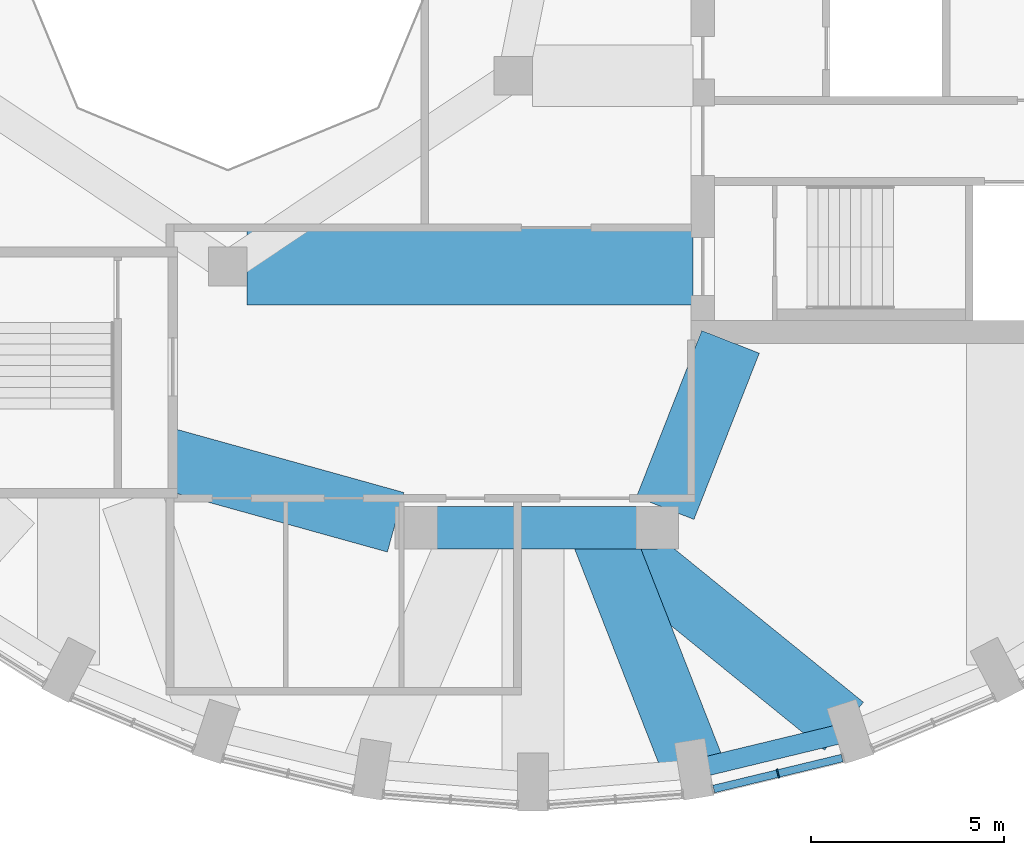
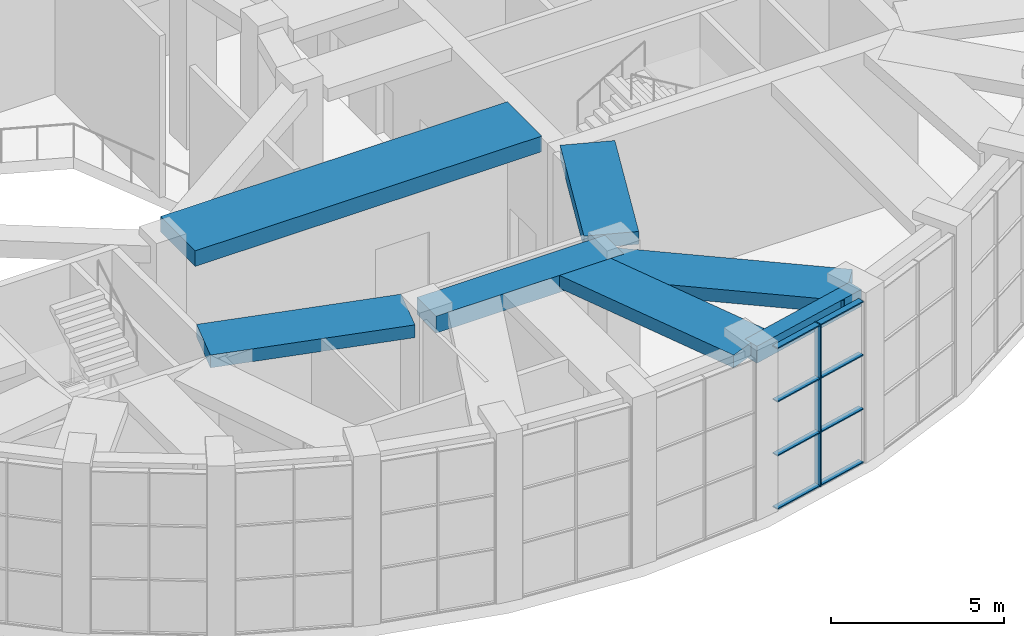
# One storey, part 4 of 20: 9 members, 7 beams, 1 element without a shape of its own.
"""IFC4 building model written with IfcOpenShell, lengths in metres."""

from ifc_helpers import new_model, si_unit, direction, frame, origin, origin_2d, place, context, subcontext, project, spatial, rectangle, extrude, material, material_profile, profile_set, type_object, element, aggregate, save


model = new_model("IFC4")

# Units and contexts
model_context = context("Model", 3, precision=1e-05, world=origin(), true_north=direction((0.0, 1.0)))
body_context = subcontext(model_context, "Body", "Model", "MODEL_VIEW")
ifc_project = project(units=[si_unit("LENGTHUNIT", "METRE"), si_unit("AREAUNIT", "SQUARE_METRE"), si_unit("VOLUMEUNIT", "CUBIC_METRE"), si_unit("PLANEANGLEUNIT", "RADIAN"), si_unit("MASSUNIT", "GRAM", prefix="KILO")], contexts=[model_context])

# Site, building, storey
site_placement = place(None, origin())
site = spatial("IfcSite", under=ifc_project, at=site_placement, CompositionType="ELEMENT")
building_placement = place(site_placement, origin())
building = spatial("IfcBuilding", under=site, at=building_placement, Name="Taillehof Tower", CompositionType="ELEMENT")
storey_placement = place(building_placement, frame((0.0, 0.0, 269.199951171875)))
storey = spatial("IfcBuildingStorey", under=building, at=storey_placement, Name="L76", CompositionType="ELEMENT", Elevation=269.199951171875)

# Beam
ifc_material_1 = material(Name="Concrete C50/60", Category="concrete")
ifc_material_profile_1 = material_profile(ifc_material_1, rectangle(XDim=1.10009765625, YDim=0.60009765625, at=origin_2d()), Name="RC 1100x600")
ifc_profile_set_1 = profile_set([ifc_material_profile_1], Name="Concrete C50/60")
beam_type_1 = type_object("IfcBeamType", Name="Mid-ring beam C50/60 1100x600", PredefinedType="BEAM", material=ifc_profile_set_1)
beam_1_placement = place(storey_placement, frame((-3.125732421875, -14.772216796875, 5.400146484375), z_axis=(1.0, 0.0, 0.0), x_axis=(0.0, 1.0, 0.0)))
element("IfcBeam", 1, at=beam_1_placement, inside=storey, type_object=beam_type_1, Name="Mid-ring beam MB02", PredefinedType="BEAM", context=body_context, shape_type="SweptSolid", body=[
    extrude(rectangle(XDim=1.10009765625, YDim=0.60009765625, at=origin_2d()), origin(), (0.0, 0.0, 1.0), 6.25146484375),
])

# Curtain wall, members
ifc_material_2 = material(Name="Aluminium curtain wall with Clear toughened laminated glass", Category="aluminium")
curtain_wall_type = type_object("IfcCurtainWallType", Name="Observation deck curtain wall", PredefinedType="USERDEFINED", material=ifc_material_2)
curtain_wall_placement = place(storey_placement, origin())
curtain_wall = element("IfcCurtainWall", 2, at=curtain_wall_placement, inside=storey, type_object=curtain_wall_type, Name="Observation deck L76 bay 29", ObjectType="WINDOW WALL", PredefinedType="USERDEFINED")
ifc_material_3 = material(Name="Aluminium mullion", Category="aluminium")
ifc_material_profile_2 = material_profile(ifc_material_3, rectangle(XDim=0.239990234375, YDim=0.0400390625, at=origin_2d()), Name="AL 40x240")
ifc_profile_set_2 = profile_set([ifc_material_profile_2], Name="Aluminium mullion")
member_type_1 = type_object("IfcMemberType", Name="Observation deck mullion 40x240", PredefinedType="MULLION", material=ifc_profile_set_2)
member_1_placement = place(storey_placement, frame((6.246337890625, -21.133056640625, 0.0), z_axis=(0.0, 0.0, 1.0), x_axis=(-0.234514520129, 0.972112616855, 0.0)))
member_1 = element("IfcMember", 3, at=member_1_placement, type_object=member_type_1, Name="CT6E29 mullion 2", PredefinedType="MULLION", context=body_context, shape_type="SweptSolid", body=[
    extrude(rectangle(XDim=0.239990234375, YDim=0.0400390625, at=origin_2d()), origin(), (0.0, 0.0, 1.0), 5.699951171875),
])
ifc_material_4 = material(Name="Aluminium transom", Category="aluminium")
ifc_material_profile_3 = material_profile(ifc_material_4, rectangle(XDim=0.199951171875, YDim=0.0400390625, at=origin_2d()), Name="AL 200x40")
ifc_profile_set_3 = profile_set([ifc_material_profile_3], Name="Aluminium transom")
member_type_2 = type_object("IfcMemberType", Name="Observation deck transom 200x40", PredefinedType="USERDEFINED", material=ifc_profile_set_3)
member_2_placement = place(storey_placement, frame((4.583251953125, -21.5341796875, 0.02001953125), z_axis=(0.972114000527, 0.234508784441, 0.0), x_axis=(-0.234508784441, 0.972114000527, 0.0)))
member_2 = element("IfcMember", 4, at=member_2_placement, type_object=member_type_2, Name="CT6E29 transom 1.1", ObjectType="TRANSOM", PredefinedType="USERDEFINED", context=body_context, shape_type="SweptSolid", body=[
    extrude(rectangle(XDim=0.199951171875, YDim=0.0400390625, at=origin_2d()), origin(), (0.0, 0.0, 1.0), 1.690673828125),
])
member_3_placement = place(storey_placement, frame((4.583251953125, -21.5341796875, 1.900146484375), z_axis=(0.972114000527, 0.234508784441, 0.0), x_axis=(-0.234508784441, 0.972114000527, 0.0)))
member_3 = element("IfcMember", 5, at=member_3_placement, type_object=member_type_2, Name="CT6E29 transom 1.2", ObjectType="TRANSOM", PredefinedType="USERDEFINED", context=body_context, shape_type="SweptSolid", body=[
    extrude(rectangle(XDim=0.199951171875, YDim=0.0400390625, at=origin_2d()), origin(), (0.0, 0.0, 1.0), 1.690673828125),
])
member_4_placement = place(storey_placement, frame((4.583251953125, -21.5341796875, 3.800048828125), z_axis=(0.972114000527, 0.234508784441, 0.0), x_axis=(-0.234508784441, 0.972114000527, 0.0)))
member_4 = element("IfcMember", 6, at=member_4_placement, type_object=member_type_2, Name="CT6E29 transom 1.3", ObjectType="TRANSOM", PredefinedType="USERDEFINED", context=body_context, shape_type="SweptSolid", body=[
    extrude(rectangle(XDim=0.199951171875, YDim=0.0400390625, at=origin_2d()), origin(), (0.0, 0.0, 1.0), 1.690673828125),
])
member_5_placement = place(storey_placement, frame((4.583251953125, -21.5341796875, 5.679931640625), z_axis=(0.972114000527, 0.234508784441, 0.0), x_axis=(-0.234508784441, 0.972114000527, 0.0)))
member_5 = element("IfcMember", 7, at=member_5_placement, type_object=member_type_2, Name="CT6E29 transom 1.4", ObjectType="TRANSOM", PredefinedType="USERDEFINED", context=body_context, shape_type="SweptSolid", body=[
    extrude(rectangle(XDim=0.199951171875, YDim=0.0400390625, at=origin_2d()), origin(), (0.0, 0.0, 1.0), 1.690673828125),
])
member_6_placement = place(storey_placement, frame((6.265869140625, -21.128173828125, 0.02001953125), z_axis=(0.972114000527, 0.234508784441, 0.0), x_axis=(-0.234508784441, 0.972114000527, 0.0)))
member_6 = element("IfcMember", 8, at=member_6_placement, type_object=member_type_2, Name="CT6E29 transom 2.1", ObjectType="TRANSOM", PredefinedType="USERDEFINED", context=body_context, shape_type="SweptSolid", body=[
    extrude(rectangle(XDim=0.199951171875, YDim=0.0400390625, at=origin_2d()), origin(), (0.0, 0.0, 1.0), 1.690673828125),
])
member_7_placement = place(storey_placement, frame((6.265869140625, -21.128173828125, 1.900146484375), z_axis=(0.972114000527, 0.234508784441, 0.0), x_axis=(-0.234508784441, 0.972114000527, 0.0)))
member_7 = element("IfcMember", 9, at=member_7_placement, type_object=member_type_2, Name="CT6E29 transom 2.2", ObjectType="TRANSOM", PredefinedType="USERDEFINED", context=body_context, shape_type="SweptSolid", body=[
    extrude(rectangle(XDim=0.199951171875, YDim=0.0400390625, at=origin_2d()), origin(), (0.0, 0.0, 1.0), 1.690673828125),
])
member_8_placement = place(storey_placement, frame((6.265869140625, -21.128173828125, 3.800048828125), z_axis=(0.972114000527, 0.234508784441, 0.0), x_axis=(-0.234508784441, 0.972114000527, 0.0)))
member_8 = element("IfcMember", 10, at=member_8_placement, type_object=member_type_2, Name="CT6E29 transom 2.3", ObjectType="TRANSOM", PredefinedType="USERDEFINED", context=body_context, shape_type="SweptSolid", body=[
    extrude(rectangle(XDim=0.199951171875, YDim=0.0400390625, at=origin_2d()), origin(), (0.0, 0.0, 1.0), 1.690673828125),
])
member_9_placement = place(storey_placement, frame((6.265869140625, -21.128173828125, 5.679931640625), z_axis=(0.972114000527, 0.234508784441, 0.0), x_axis=(-0.234508784441, 0.972114000527, 0.0)))
member_9 = element("IfcMember", 11, at=member_9_placement, type_object=member_type_2, Name="CT6E29 transom 2.4", ObjectType="TRANSOM", PredefinedType="USERDEFINED", context=body_context, shape_type="SweptSolid", body=[
    extrude(rectangle(XDim=0.199951171875, YDim=0.0400390625, at=origin_2d()), origin(), (0.0, 0.0, 1.0), 1.690673828125),
])
aggregate(curtain_wall, [member_1, member_2, member_3, member_4, member_5, member_6, member_7, member_8, member_9])

# Beams
ifc_material_5 = material(Name="Concrete C50/60", Category="concrete")
ifc_material_profile_4 = material_profile(ifc_material_5, rectangle(XDim=1.60009765625, YDim=0.449951171875, at=origin_2d()), Name="RC 1600x450")
ifc_profile_set_4 = profile_set([ifc_material_profile_4], Name="Concrete C50/60")
beam_type_2 = type_object("IfcBeamType", Name="Radial band beam C50/60 1600x450", PredefinedType="BEAM", material=ifc_profile_set_4)
beam_2_placement = place(storey_placement, frame((4.076171875, -21.02099609375, 5.47509765625), z_axis=(-0.365079492969, 0.93097634976, 0.0), x_axis=(-0.93097634976, -0.365079492969, 0.0)))
element("IfcBeam", 12, at=beam_2_placement, inside=storey, type_object=beam_type_2, Name="Radial band beam RB29", PredefinedType="BEAM", context=body_context, shape_type="SweptSolid", body=[
    extrude(rectangle(XDim=1.60009765625, YDim=0.449951171875, at=origin_2d()), origin(), (0.0, 0.0, 1.0), 6.712158203125),
])
beam_3_placement = place(storey_placement, frame((7.9560546875, -19.90673828125, 5.47509765625), z_axis=(-0.776646099525, 0.629937168369, 0.0), x_axis=(-0.629937168369, -0.776646099525, 0.0)))
element("IfcBeam", 13, at=beam_3_placement, inside=storey, type_object=beam_type_2, Name="Radial band beam RB30", PredefinedType="BEAM", context=body_context, shape_type="SweptSolid", body=[
    extrude(rectangle(XDim=1.60009765625, YDim=0.449951171875, at=origin_2d()), origin(), (0.0, 0.0, 1.0), 8.03759765625),
])
beam_4_placement = place(storey_placement, frame((-3.655517578125, -14.624755859375, 5.47509765625), z_axis=(-0.963459369536, 0.267854518821, 0.0), x_axis=(-0.267854518821, -0.963459369536, 0.0)))
element("IfcBeam", 14, at=beam_4_placement, inside=storey, type_object=beam_type_2, Name="Inner band beam IB214", PredefinedType="BEAM", context=body_context, shape_type="SweptSolid", body=[
    extrude(rectangle(XDim=1.60009765625, YDim=0.449951171875, at=origin_2d()), origin(), (0.0, 0.0, 1.0), 6.096923828125),
])
beam_5_placement = place(storey_placement, frame((3.32666015625, -14.26025390625, 5.47509765625), z_axis=(0.365588707223, 0.930776502255, 0.0), x_axis=(-0.930776502255, 0.365588707223, 0.0)))
element("IfcBeam", 15, at=beam_5_placement, inside=storey, type_object=beam_type_2, Name="Inner band beam IB215", PredefinedType="BEAM", context=body_context, shape_type="SweptSolid", body=[
    extrude(rectangle(XDim=1.60009765625, YDim=0.449951171875, at=origin_2d()), origin(), (0.0, 0.0, 1.0), 4.627197265625),
])
ifc_material_6 = material(Name="Concrete C50/60", Category="concrete")
ifc_material_profile_5 = material_profile(ifc_material_6, rectangle(XDim=2.0, YDim=0.550048828125, at=origin_2d()), Name="RC 2000x550")
ifc_profile_set_5 = profile_set([ifc_material_profile_5], Name="Concrete C50/60")
beam_type_3 = type_object("IfcBeamType", Name="Radial band beam C50/60 2000x550", PredefinedType="BEAM", material=ifc_profile_set_5)
beam_6_placement = place(storey_placement, frame((-7.5, -8.0, 5.425048828125), z_axis=(1.0, 0.0, 0.0), x_axis=(0.0, 1.0, 0.0)))
element("IfcBeam", 16, at=beam_6_placement, inside=storey, type_object=beam_type_3, Name="Inner band beam IB113", PredefinedType="BEAM", context=body_context, shape_type="SweptSolid", body=[
    extrude(rectangle(XDim=2.0, YDim=0.550048828125, at=origin_2d()), origin(), (0.0, 0.0, 1.0), 11.550048828125),
])
ifc_material_7 = material(Name="Concrete C50/60", Category="concrete")
ifc_material_profile_6 = material_profile(ifc_material_7, rectangle(XDim=0.5, YDim=0.60009765625, at=origin_2d()), Name="RC 500x600")
ifc_profile_set_6 = profile_set([ifc_material_profile_6], Name="Concrete C50/60")
beam_type_4 = type_object("IfcBeamType", Name="Spandrel beam C50/60 500x600", PredefinedType="SPANDREL", material=ifc_profile_set_6)
beam_7_placement = place(storey_placement, frame((4.076171875, -21.02099609375, 5.400146484375), z_axis=(0.972129209911, 0.234445727701, 0.0), x_axis=(-0.234445727701, 0.972129209911, 0.0)))
element("IfcBeam", 17, at=beam_7_placement, inside=storey, type_object=beam_type_4, Name="Spandrel beam SB29", PredefinedType="SPANDREL", context=body_context, shape_type="SweptSolid", body=[
    extrude(rectangle(XDim=0.5, YDim=0.60009765625, at=origin_2d()), origin(), (0.0, 0.0, 1.0), 4.16552734375),
])

save(model, "model.ifc")
